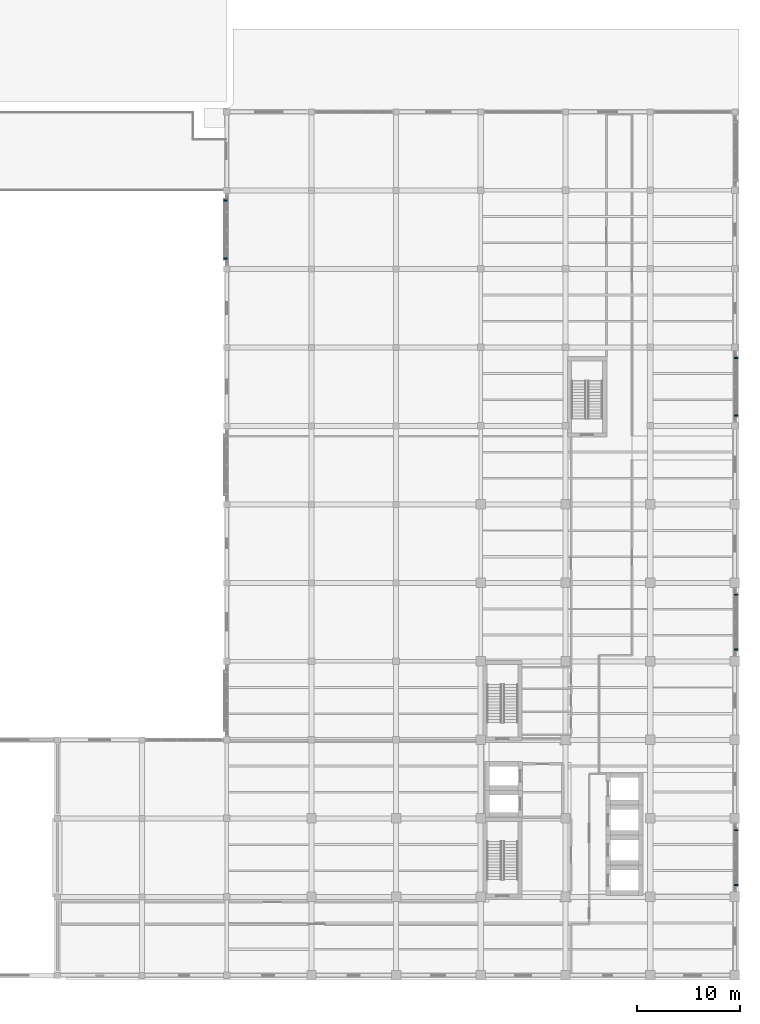
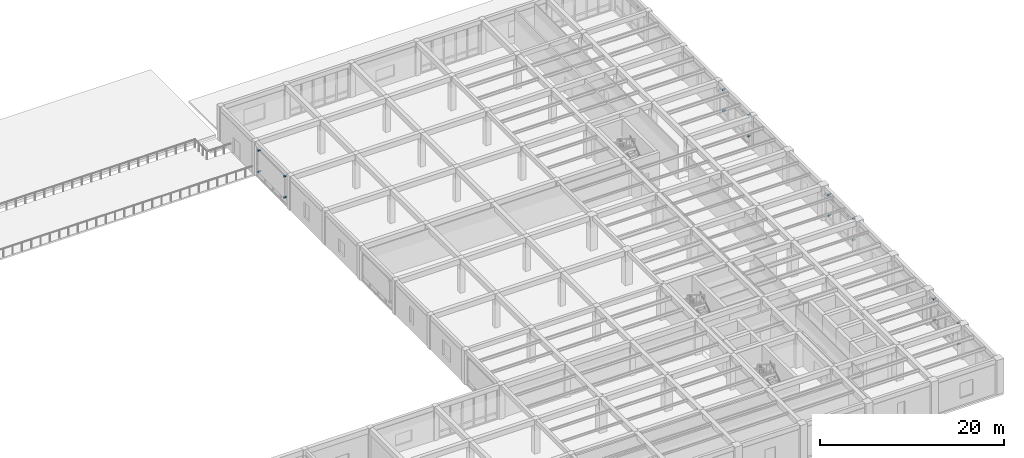
# One storey, part 44 of 49: 16 discrete accessories.
"""IFC4 building model written with IfcOpenShell, lengths in metres."""

from ifc_helpers import new_model, si_unit, direction, frame, origin, origin_2d, place, context, subcontext, project, spatial, rectangle, extrude, material, type_object, element, save


model = new_model("IFC4")

# Units and contexts
model_context = context("Model", 3, precision=1e-05, world=origin(), true_north=direction((0.0, 1.0)))
body_context = subcontext(model_context, "Body", "Model", "MODEL_VIEW")
ifc_project = project(units=[si_unit("LENGTHUNIT", "METRE"), si_unit("AREAUNIT", "SQUARE_METRE"), si_unit("VOLUMEUNIT", "CUBIC_METRE"), si_unit("PLANEANGLEUNIT", "RADIAN"), si_unit("MASSUNIT", "GRAM", prefix="KILO")], contexts=[model_context])

# Site, building, storey
site_placement = place(None, origin())
site = spatial("IfcSite", under=ifc_project, at=site_placement, CompositionType="ELEMENT")
building_placement = place(site_placement, origin())
building = spatial("IfcBuilding", under=site, at=building_placement, Name="Qandaris Square Conservatory and Botanical Centre", CompositionType="ELEMENT")
storey_placement = place(building_placement, frame((0.0, 0.0, 10.199951171875)))
storey = spatial("IfcBuildingStorey", under=building, at=storey_placement, Name="L02", CompositionType="ELEMENT", Elevation=10.199951171875)

# Discrete accessories
ifc_material = material(Name="Steel S355", Category="steel")
discrete_accessory_type = type_object("IfcDiscreteAccessoryType", Name="Mashrabiya Support Outrigger Bracket", PredefinedType="BRACKET", material=ifc_material)
for number, where, z_axis, x_axis, name in (
    (1, (163.909912109375, 25.35009765625, 0.89990234375), (0.0, 0.0, 1.0), (0.0, 1.0, 0.0), "Mashrabiya Bracket CW-TWR-L02-2-2-BRK-6-112"),
    (2, (163.909912109375, 25.35009765625, 3.6953125), (0.0, 0.0, 1.0), (0.0, 1.0, 0.0), "Mashrabiya Bracket CW-TWR-L02-2-2-BRK-6-140"),
    (3, (163.909912109375, 30.64990234375, 0.89990234375), (0.0, 0.0, 1.0), (0.0, 1.0, 0.0), "Mashrabiya Bracket CW-TWR-L02-2-2-BRK-59-112"),
    (4, (163.909912109375, 30.64990234375, 3.6953125), (0.0, 0.0, 1.0), (0.0, 1.0, 0.0), "Mashrabiya Bracket CW-TWR-L02-2-2-BRK-59-140"),
    (5, (163.909912109375, 48.14990234375, 0.89990234375), (0.0, 0.0, 1.0), (0.0, 1.0, 0.0), "Mashrabiya Bracket CW-TWR-L02-2-5-BRK-6-112"),
    (6, (163.909912109375, 48.14990234375, 3.6953125), (0.0, 0.0, 1.0), (0.0, 1.0, 0.0), "Mashrabiya Bracket CW-TWR-L02-2-5-BRK-6-140"),
    (7, (163.909912109375, 53.449951171875, 0.89990234375), (0.0, 0.0, 1.0), (0.0, 1.0, 0.0), "Mashrabiya Bracket CW-TWR-L02-2-5-BRK-59-112"),
    (8, (163.909912109375, 53.449951171875, 3.6953125), (0.0, 0.0, 1.0), (0.0, 1.0, 0.0), "Mashrabiya Bracket CW-TWR-L02-2-5-BRK-59-140"),
    (9, (163.909912109375, 70.824951171875, 0.89990234375), (0.0, 0.0, 1.0), (0.0, 1.0, 0.0), "Mashrabiya Bracket CW-TWR-L02-2-8-BRK-6-112"),
    (10, (163.909912109375, 70.824951171875, 3.6953125), (0.0, 0.0, 1.0), (0.0, 1.0, 0.0), "Mashrabiya Bracket CW-TWR-L02-2-8-BRK-6-140"),
    (11, (163.909912109375, 76.375, 0.89990234375), (0.0, 0.0, 1.0), (0.0, 1.0, 0.0), "Mashrabiya Bracket CW-TWR-L02-2-8-BRK-62-112"),
    (12, (163.909912109375, 76.375, 3.6953125), (0.0, 0.0, 1.0), (0.0, 1.0, 0.0), "Mashrabiya Bracket CW-TWR-L02-2-8-BRK-62-140"),
    (13, (114.489990234375, 91.60009765625, 0.89990234375), (0.0, 0.0, 1.0), (0.0, -1.0, 0.0), "Mashrabiya Bracket CW-TWR-L02-4-2-BRK-6-112"),
    (14, (114.489990234375, 91.60009765625, 3.6953125), (0.0, 0.0, 1.0), (0.0, -1.0, 0.0), "Mashrabiya Bracket CW-TWR-L02-4-2-BRK-6-140"),
    (15, (114.489990234375, 86.0, 0.89990234375), (0.0, 0.0, 1.0), (0.0, -1.0, 0.0), "Mashrabiya Bracket CW-TWR-L02-4-2-BRK-62-112"),
    (16, (114.489990234375, 86.0, 3.6953125), (0.0, 0.0, 1.0), (0.0, -1.0, 0.0), "Mashrabiya Bracket CW-TWR-L02-4-2-BRK-62-140"),
):
    element("IfcDiscreteAccessory", number, at=place(storey_placement, frame(where, z_axis=z_axis, x_axis=x_axis)), inside=storey, type_object=discrete_accessory_type, Name=name, PredefinedType="BRACKET", context=body_context, shape_type="SweptSolid", body=[
        extrude(rectangle(XDim=0.139892578125, YDim=0.340087890625, at=origin_2d()), origin(), (0.0, 0.0, 1.0), 0.139892578125),
    ])

save(model, "model.ifc")
